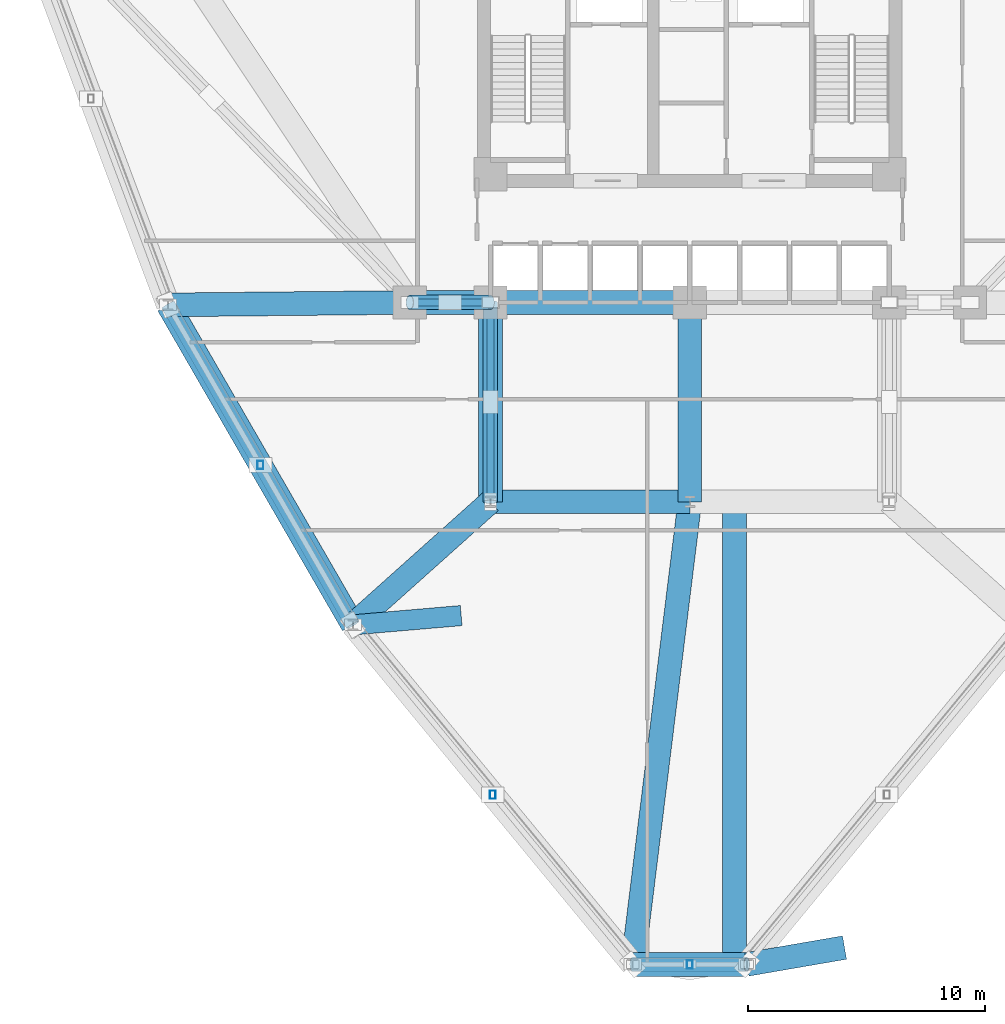
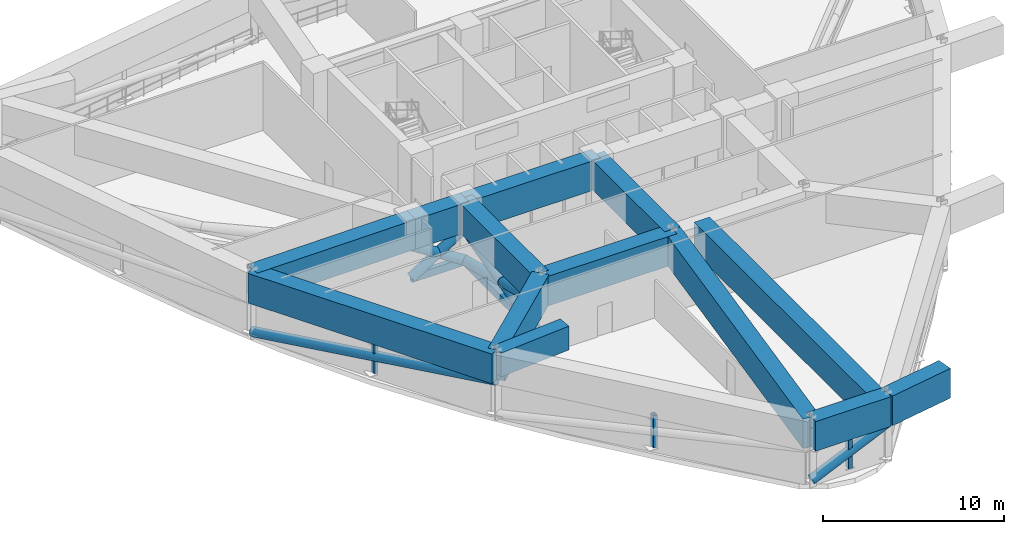
# One storey, part 2 of 12: 13 beams, 13 members.
"""IFC4 building model written with IfcOpenShell, lengths in metres."""

from ifc_helpers import new_model, si_unit, derived_unit, direction, frame, origin, origin_2d, place, context, subcontext, project, spatial, rectangle, hollow_rectangle, hollow_circle, extrude, source, transform, mapped, material, material_profile, profile_set, type_object, element, save


model = new_model("IFC4")

# Units and contexts
model_context = context("Model", 3, precision=1e-05, world=origin(), true_north=direction((0.0, 1.0)))
body_context = subcontext(model_context, "Body", "Model", "MODEL_VIEW")
ifc_project = project(units=[si_unit("LENGTHUNIT", "METRE"), si_unit("AREAUNIT", "SQUARE_METRE"), si_unit("VOLUMEUNIT", "CUBIC_METRE"), si_unit("PLANEANGLEUNIT", "RADIAN"), si_unit("MASSUNIT", "GRAM", prefix="KILO"), derived_unit("THERMALTRANSMITTANCEUNIT", [(si_unit("POWERUNIT", "WATT"), 1), (si_unit("LENGTHUNIT", "METRE"), -2), (si_unit("THERMODYNAMICTEMPERATUREUNIT", "KELVIN"), -1)])], contexts=[model_context])

# Site, building, storey
site_placement = place(None, origin())
site = spatial("IfcSite", under=ifc_project, at=site_placement, CompositionType="ELEMENT")
building_placement = place(site_placement, origin())
building = spatial("IfcBuilding", under=site, at=building_placement, Name="Korsvarv Bourse and Concert Hall", CompositionType="ELEMENT")
storey_placement = place(building_placement, frame((0.0, 0.0, 59.10009765625)))
storey = spatial("IfcBuildingStorey", under=building, at=storey_placement, Name="L14", CompositionType="ELEMENT", Elevation=59.10009765625)

# Beams
ifc_material_1 = material(Name="Concrete C60/75", Category="concrete")
ifc_material_profile_1 = material_profile(ifc_material_1, rectangle(XDim=1.0, YDim=2.0, at=origin_2d()), Name="RC-BM 1000x2000")
ifc_profile_set_1 = profile_set([ifc_material_profile_1], Name="Concrete C60/75")
beam_type_1 = type_object("IfcBeamType", Name="BM-TR1", PredefinedType="BEAM", material=ifc_profile_set_1)
shared_shape_1 = source(origin(), body_context, "Body", "SweptSolid", [
    extrude(rectangle(XDim=1.0, YDim=2.0, at=origin_2d()), origin(), (0.0, 0.0, 1.0), 8.39990234375),
])
for number, where, z_axis, x_axis, name in (
    (1, (27.60009765625, 32.39990234375, 3.56982421875), (1.0, 0.0, 0.0), (0.0, 1.0, 0.0), "L14 beam B-TR1"),
    (2, (27.60009765625, 24.0, 3.56982421875), (1.0, 0.0, 0.0), (0.0, 1.0, 0.0), "L14 beam B-TR1"),
    (3, (27.60009765625, 24.0, 3.56982421875), (0.0, 1.0, 0.0), (-1.0, 0.0, 0.0), "L14 beam B-TR1"),
    (4, (36.0, 24.0, 3.56982421875), (0.0, 1.0, 0.0), (-1.0, 0.0, 0.0), "L14 beam B-TR1"),
):
    element("IfcBeam", number, at=place(storey_placement, frame(where, z_axis=z_axis, x_axis=x_axis)), inside=storey, type_object=beam_type_1, Name=name, PredefinedType="BEAM", context=body_context, shape_type="MappedRepresentation", body=[
        mapped(shared_shape_1, transform((0.0, 0.0, 0.0), scale=1.0)),
    ])
shared_shape_2 = source(origin(), body_context, "Body", "SweptSolid", [
    extrude(rectangle(XDim=1.0, YDim=2.0, at=origin_2d()), origin(), (0.0, 0.0, 1.0), 3.400146484375),
])
beam_1_placement = place(storey_placement, frame((24.199951171875, 32.39990234375, 3.56982421875), z_axis=(1.0, 0.0, 0.0), x_axis=(0.0, 1.0, 0.0)))
element("IfcBeam", 5, at=beam_1_placement, inside=storey, type_object=beam_type_1, Name="L14 beam B-TR1", PredefinedType="BEAM", context=body_context, shape_type="MappedRepresentation", body=[
    mapped(shared_shape_2, transform((0.0, 0.0, 0.0), scale=1.0)),
])
shared_shape_3 = source(origin(), body_context, "Body", "SweptSolid", [
    extrude(rectangle(XDim=1.0, YDim=2.0, at=origin_2d()), origin(), (0.0, 0.0, 1.0), 15.569580078125),
])
beam_2_placement = place(storey_placement, frame((14.016845703125, 32.297119140625, 3.56982421875), z_axis=(0.499994378262, -0.866028649472, 0.0), x_axis=(0.866028649472, 0.499994378262, 0.0)))
element("IfcBeam", 6, at=beam_2_placement, inside=storey, type_object=beam_type_1, Name="L14 beam B-TR1", PredefinedType="BEAM", context=body_context, shape_type="MappedRepresentation", body=[
    mapped(shared_shape_3, transform((0.0, 0.0, 0.0), scale=1.0)),
])
shared_shape_4 = source(origin(), body_context, "Body", "SweptSolid", [
    extrude(rectangle(XDim=1.0, YDim=2.0, at=origin_2d()), origin(), (0.0, 0.0, 1.0), 4.810546875),
])
beam_3_placement = place(storey_placement, frame((33.5947265625, 4.509033203125, 3.56982421875), z_axis=(1.0, 0.0, 0.0), x_axis=(0.0, 1.0, 0.0)))
element("IfcBeam", 7, at=beam_3_placement, inside=storey, type_object=beam_type_1, Name="L14 beam B-TR1", PredefinedType="BEAM", context=body_context, shape_type="MappedRepresentation", body=[
    mapped(shared_shape_4, transform((0.0, 0.0, 0.0), scale=1.0)),
])
shared_shape_5 = source(origin(), body_context, "Body", "SweptSolid", [
    extrude(rectangle(XDim=1.0, YDim=2.0, at=origin_2d()), origin(), (0.0, 0.0, 1.0), 10.18359375),
])
beam_4_placement = place(storey_placement, frame((14.016845703125, 32.297119140625, 3.56982421875), z_axis=(0.999949064493, 0.010092988639, 0.0), x_axis=(-0.010092988639, 0.999949064493, 0.0)))
element("IfcBeam", 8, at=beam_4_placement, inside=storey, type_object=beam_type_1, Name="L14 beam B-TR1", PredefinedType="BEAM", context=body_context, shape_type="MappedRepresentation", body=[
    mapped(shared_shape_5, transform((0.0, 0.0, 0.0), scale=1.0)),
])
shared_shape_6 = source(origin(), body_context, "Body", "SweptSolid", [
    extrude(rectangle(XDim=1.0, YDim=2.0, at=origin_2d()), origin(), (0.0, 0.0, 1.0), 7.77978515625),
])
beam_5_placement = place(storey_placement, frame((21.801513671875, 18.8134765625, 3.56982421875), z_axis=(0.745348822667, 0.666674682697, 0.0), x_axis=(-0.666674682697, 0.745348822667, 0.0)))
element("IfcBeam", 9, at=beam_5_placement, inside=storey, type_object=beam_type_1, Name="L14 beam B-TR1", PredefinedType="BEAM", context=body_context, shape_type="MappedRepresentation", body=[
    mapped(shared_shape_6, transform((0.0, 0.0, 0.0), scale=1.0)),
])
shared_shape_7 = source(origin(), body_context, "Body", "SweptSolid", [
    extrude(rectangle(XDim=1.0, YDim=2.0, at=origin_2d()), origin(), (0.0, 0.0, 1.0), 19.638916015625),
])
beam_6_placement = place(storey_placement, frame((33.5947265625, 4.509033203125, 3.56982421875), z_axis=(0.122475475827, 0.992471540056, 0.0), x_axis=(-0.992471540056, 0.122475475827, 0.0)))
element("IfcBeam", 10, at=beam_6_placement, inside=storey, type_object=beam_type_1, Name="L14 beam B-TR1", PredefinedType="BEAM", context=body_context, shape_type="MappedRepresentation", body=[
    mapped(shared_shape_7, transform((0.0, 0.0, 0.0), scale=1.0)),
])
ifc_material_2 = material(Name="Concrete C55/67", Category="concrete")
ifc_material_profile_2 = material_profile(ifc_material_2, rectangle(XDim=0.85009765625, YDim=1.60009765625, at=origin_2d()), Name="RC-BM 850x1600")
ifc_profile_set_2 = profile_set([ifc_material_profile_2], Name="Concrete C55/67")
beam_type_2 = type_object("IfcBeamType", Name="BM-TR1B", PredefinedType="BEAM", material=ifc_profile_set_2)
shared_shape_8 = source(origin(), body_context, "Body", "SweptSolid", [
    extrude(rectangle(XDim=0.85009765625, YDim=1.60009765625, at=origin_2d()), origin(), (0.0, 0.0, 1.0), 4.58203125),
])
beam_7_placement = place(storey_placement, frame((21.801513671875, 18.8134765625, 3.77001953125), z_axis=(0.996309248352, 0.085836365533, 0.0), x_axis=(-0.085836365533, 0.996309248352, 0.0)))
element("IfcBeam", 11, at=beam_7_placement, inside=storey, type_object=beam_type_2, Name="L14 Block-Shift Transfer Girder 8", PredefinedType="BEAM", context=body_context, shape_type="MappedRepresentation", body=[
    mapped(shared_shape_8, transform((0.0, 0.0, 0.0), scale=1.0)),
])
shared_shape_9 = source(origin(), body_context, "Body", "SweptSolid", [
    extrude(rectangle(XDim=1.0, YDim=2.0, at=origin_2d()), origin(), (0.0, 0.0, 1.0), 4.174560546875),
])
beam_8_placement = place(storey_placement, frame((38.4052734375, 4.509033203125, 3.56982421875), z_axis=(0.985432414575, 0.170067505139, 0.0), x_axis=(-0.170067505139, 0.985432414575, 0.0)))
element("IfcBeam", 12, at=beam_8_placement, inside=storey, type_object=beam_type_1, Name="L14 Block-Shift Transfer Girder 10", PredefinedType="BEAM", context=body_context, shape_type="MappedRepresentation", body=[
    mapped(shared_shape_9, transform((0.0, 0.0, 0.0), scale=1.0)),
])
shared_shape_10 = source(origin(), body_context, "Body", "SweptSolid", [
    extrude(rectangle(XDim=1.0, YDim=2.0, at=origin_2d()), origin(), (0.0, 0.0, 1.0), 19.490966796875),
])
beam_9_placement = place(storey_placement, frame((37.881103515625, 4.509033203125, 3.56982421875), z_axis=(0.0, 1.0, 0.0), x_axis=(-1.0, 0.0, 0.0)))
element("IfcBeam", 13, at=beam_9_placement, inside=storey, type_object=beam_type_1, Name="L14 Block-Shift Transverse Transfer Girder 9", PredefinedType="BEAM", context=body_context, shape_type="MappedRepresentation", body=[
    mapped(shared_shape_10, transform((0.0, 0.0, 0.0), scale=1.0)),
])

# Members
ifc_material_3 = material(Name="Steel S460", Category="steel")
ifc_material_profile_3 = material_profile(ifc_material_3, hollow_rectangle(XDim=0.300048828125, YDim=0.5, WallThickness=0.02001953125, at=origin_2d()), Name="RHS 500x300x20")
ifc_profile_set_3 = profile_set([ifc_material_profile_3], Name="Steel S460")
member_type_1 = type_object("IfcMemberType", Name="MEM-RHS500", PredefinedType="CHORD", material=ifc_profile_set_3)
shared_shape_11 = source(origin(), body_context, "Body", "SweptSolid", [
    extrude(hollow_rectangle(XDim=0.300048828125, YDim=0.5, WallThickness=0.02001953125, at=origin_2d()), origin(), (0.0, 0.0, 1.0), 3.400146484375),
])
member_1_placement = place(storey_placement, frame((27.60009765625, 32.39990234375, 0.349853515625), z_axis=(-1.0, 0.0, 0.0), x_axis=(0.0, -1.0, 0.0)))
element("IfcMember", 14, at=member_1_placement, inside=storey, type_object=member_type_1, Name="L14 Outrigger Truss W1 Bottom Chord", PredefinedType="CHORD", context=body_context, shape_type="MappedRepresentation", body=[
    mapped(shared_shape_11, transform((0.0, 0.0, 0.0), scale=1.0)),
])
ifc_material_profile_4 = material_profile(ifc_material_3, hollow_circle(Radius=0.304931640625, WallThickness=0.02490234375, at=origin_2d()), Name="CHS 610x25")
ifc_profile_set_4 = profile_set([ifc_material_profile_4], Name="Steel S460")
member_type_2 = type_object("IfcMemberType", Name="MEM-CHS610", PredefinedType="BRACE", material=ifc_profile_set_4)
shared_shape_12 = source(origin(), body_context, "Body", "SweptSolid", [
    extrude(hollow_circle(Radius=0.304931640625, WallThickness=0.02490234375, at=origin_2d()), origin(), (0.0, 0.0, 1.0), 4.03369140625),
])
member_2_placement = place(storey_placement, frame((27.60009765625, 32.39990234375, 0.349853515625), z_axis=(-0.84293797815, 0.0, 0.538010748027), x_axis=(0.0, -1.0, 0.0)))
element("IfcMember", 15, at=member_2_placement, inside=storey, type_object=member_type_2, Name="L14 Outrigger Truss W1 Diagonal 1", PredefinedType="BRACE", context=body_context, shape_type="MappedRepresentation", body=[
    mapped(shared_shape_12, transform((0.0, 0.0, 0.0), scale=1.0)),
])
shared_shape_13 = source(origin(), body_context, "Body", "SweptSolid", [
    extrude(hollow_circle(Radius=0.304931640625, WallThickness=0.02490234375, at=origin_2d()), origin(), (0.0, 0.0, 1.0), 2.0166015625),
])
member_3_placement = place(storey_placement, frame((24.199951171875, 32.39990234375, 0.349853515625), z_axis=(0.842947908287, 0.0, 0.537995189491), x_axis=(0.0, 1.0, 0.0)))
element("IfcMember", 16, at=member_3_placement, inside=storey, type_object=member_type_2, Name="L14 Outrigger Truss W1 Split Diagonal 2A", PredefinedType="BRACE", context=body_context, shape_type="MappedRepresentation", body=[
    mapped(shared_shape_13, transform((0.0, 0.0, 0.0), scale=1.0)),
])
shared_shape_14 = source(origin(), body_context, "Body", "SweptSolid", [
    extrude(hollow_circle(Radius=0.304931640625, WallThickness=0.02490234375, at=origin_2d()), origin(), (0.0, 0.0, 1.0), 2.01708984375),
])
member_4_placement = place(storey_placement, frame((25.89990234375, 32.39990234375, 1.434814453125), z_axis=(0.842928049386, 0.0, 0.538026303779), x_axis=(0.0, 1.0, 0.0)))
element("IfcMember", 17, at=member_4_placement, inside=storey, type_object=member_type_2, Name="L14 Outrigger Truss W1 Split Diagonal 2B", PredefinedType="BRACE", context=body_context, shape_type="MappedRepresentation", body=[
    mapped(shared_shape_14, transform((0.0, 0.0, 0.0), scale=1.0)),
])
shared_shape_15 = source(origin(), body_context, "Body", "SweptSolid", [
    extrude(hollow_rectangle(XDim=0.300048828125, YDim=0.5, WallThickness=0.02001953125, at=origin_2d()), origin(), (0.0, 0.0, 1.0), 8.39990234375),
])
member_5_placement = place(storey_placement, frame((27.60009765625, 32.39990234375, 0.349853515625), z_axis=(0.0, -1.0, 0.0), x_axis=(1.0, 0.0, 0.0)))
element("IfcMember", 18, at=member_5_placement, inside=storey, type_object=member_type_1, Name="L14 Outrigger Truss S1 Bottom Chord", PredefinedType="CHORD", context=body_context, shape_type="MappedRepresentation", body=[
    mapped(shared_shape_15, transform((0.0, 0.0, 0.0), scale=1.0)),
])
shared_shape_16 = source(origin(), body_context, "Body", "SweptSolid", [
    extrude(hollow_circle(Radius=0.304931640625, WallThickness=0.02490234375, at=origin_2d()), origin(), (0.0, 0.0, 1.0), 8.67578125),
])
member_6_placement = place(storey_placement, frame((27.60009765625, 32.39990234375, 0.349853515625), z_axis=(0.0, -0.968208981126, 0.250142697007), x_axis=(1.0, 0.0, 0.0)))
element("IfcMember", 19, at=member_6_placement, inside=storey, type_object=member_type_2, Name="L14 Outrigger Truss S1 Diagonal 1", PredefinedType="BRACE", context=body_context, shape_type="MappedRepresentation", body=[
    mapped(shared_shape_16, transform((0.0, 0.0, 0.0), scale=1.0)),
])
shared_shape_17 = source(origin(), body_context, "Body", "SweptSolid", [
    extrude(hollow_circle(Radius=0.304931640625, WallThickness=0.02490234375, at=origin_2d()), origin(), (0.0, 0.0, 1.0), 4.337890625),
])
for number, where, z_axis, x_axis, name in (
    (20, (27.60009765625, 24.0, 0.349853515625), (0.0, 0.968215796223, 0.250116316829), (-1.0, 0.0, 0.0), "L14 Outrigger Truss S1 Split Diagonal 2A"),
    (21, (27.60009765625, 28.199951171875, 1.434814453125), (0.0, 0.968202165407, 0.250169076628), (-1.0, 0.0, 0.0), "L14 Outrigger Truss S1 Split Diagonal 2B"),
):
    element("IfcMember", number, at=place(storey_placement, frame(where, z_axis=z_axis, x_axis=x_axis)), inside=storey, type_object=member_type_2, Name=name, PredefinedType="BRACE", context=body_context, shape_type="MappedRepresentation", body=[
        mapped(shared_shape_17, transform((0.0, 0.0, 0.0), scale=1.0)),
    ])
ifc_material_4 = material(Name="Steel S355", Category="steel")
ifc_material_profile_5 = material_profile(ifc_material_4, hollow_rectangle(XDim=0.25, YDim=0.35009765625, WallThickness=0.012451171875, at=origin_2d()), Name="RHS 350x250x12.5")
ifc_profile_set_5 = profile_set([ifc_material_profile_5], Name="Steel S355")
member_type_3 = type_object("IfcMemberType", Name="MEM-RHS350", PredefinedType="STRUT", material=ifc_profile_set_5)
shared_shape_18 = source(origin(), body_context, "Body", "SweptSolid", [
    extrude(hollow_rectangle(XDim=0.25, YDim=0.35009765625, WallThickness=0.012451171875, at=origin_2d()), origin(), (0.0, 0.0, 1.0), 2.170166015625),
])
for number, where, z_axis, x_axis, name in (
    (22, (17.9091796875, 25.555419921875, 0.349853515625), (0.0, 0.0, 1.0), (1.0, 0.0, 0.0), "L14 Perimeter Belt Truss Strut 7"),
    (23, (27.697998046875, 11.661376953125, 0.349853515625), (0.0, 0.0, 1.0), (1.0, 0.0, 0.0), "L14 Perimeter Belt Truss Strut 8"),
    (24, (36.0, 4.509033203125, 0.349853515625), (0.0, 0.0, 1.0), (1.0, 0.0, 0.0), "L14 Perimeter Belt Truss Strut 9"),
):
    element("IfcMember", number, at=place(storey_placement, frame(where, z_axis=z_axis, x_axis=x_axis)), inside=storey, type_object=member_type_3, Name=name, PredefinedType="STRUT", context=body_context, shape_type="MappedRepresentation", body=[
        mapped(shared_shape_18, transform((0.0, 0.0, 0.0), scale=1.0)),
    ])
shared_shape_19 = source(origin(), body_context, "Body", "SweptSolid", [
    extrude(hollow_circle(Radius=0.304931640625, WallThickness=0.02490234375, at=origin_2d()), origin(), (0.0, 0.0, 1.0), 15.719970703125),
])
member_7_placement = place(storey_placement, frame((14.016845703125, 32.297119140625, 0.349853515625), z_axis=(0.495206991207, -0.857736527547, 0.138051023798), x_axis=(0.866028649472, 0.499994378262, 0.0)))
element("IfcMember", 25, at=member_7_placement, inside=storey, type_object=member_type_2, Name="L14 Perimeter Belt Truss Diagonal 7", PredefinedType="BRACE", context=body_context, shape_type="MappedRepresentation", body=[
    mapped(shared_shape_19, transform((0.0, 0.0, 0.0), scale=1.0)),
])
shared_shape_20 = source(origin(), body_context, "Body", "SweptSolid", [
    extrude(hollow_circle(Radius=0.304931640625, WallThickness=0.02490234375, at=origin_2d()), origin(), (0.0, 0.0, 1.0), 5.27734375),
])
member_8_placement = place(storey_placement, frame((33.5947265625, 4.509033203125, 0.349853515625), z_axis=(0.911536778857, 0.0, 0.411218555991), x_axis=(0.0, 1.0, 0.0)))
element("IfcMember", 26, at=member_8_placement, inside=storey, type_object=member_type_2, Name="L14 Perimeter Belt Truss Diagonal 9", PredefinedType="BRACE", context=body_context, shape_type="MappedRepresentation", body=[
    mapped(shared_shape_20, transform((0.0, 0.0, 0.0), scale=1.0)),
])

save(model, "model.ifc")
